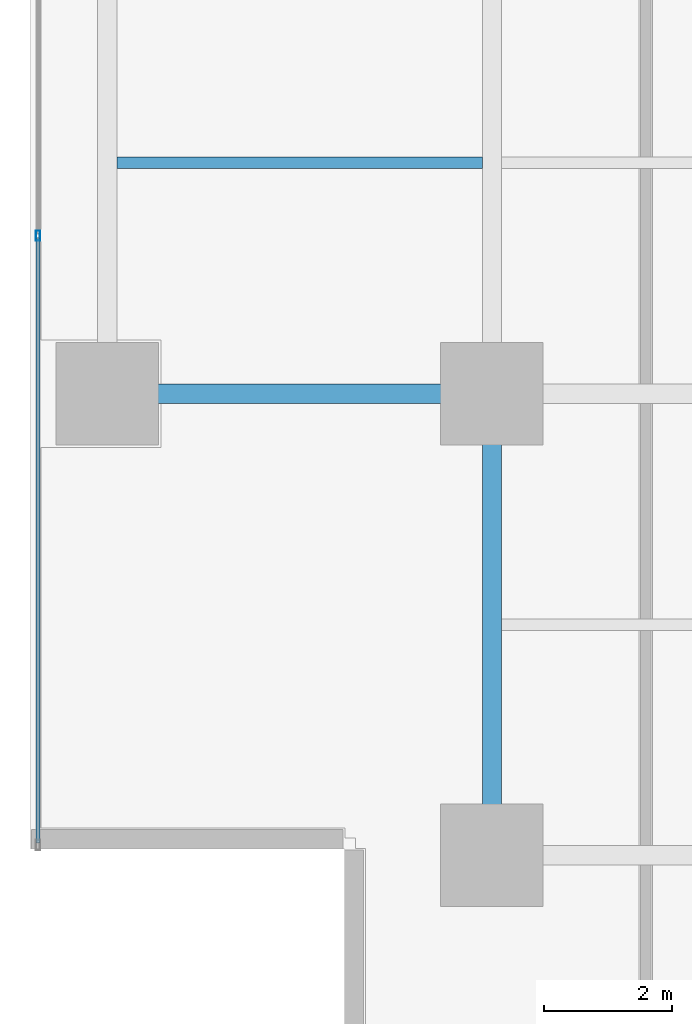
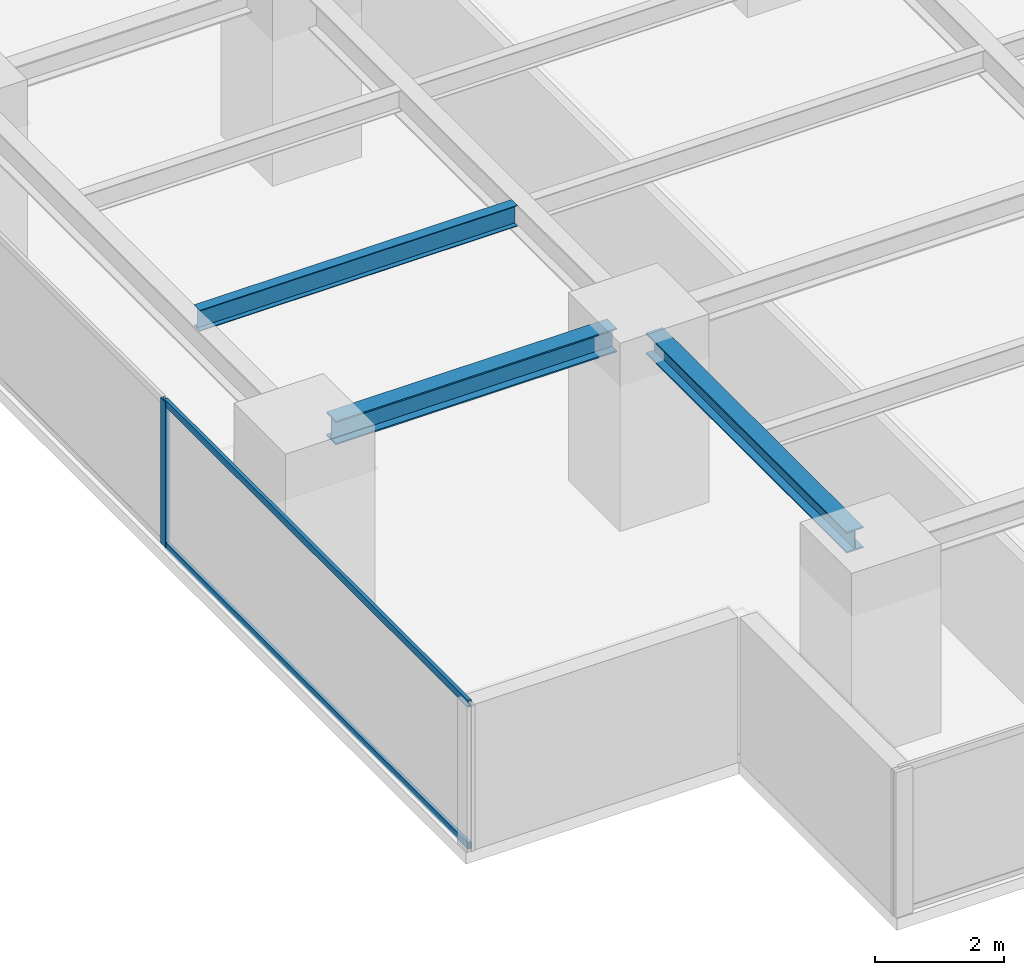
# One storey, part 3 of 27: 3 beams, 3 members, 1 element without a shape of its own.
"""IFC4 building model written with IfcOpenShell, lengths in metres."""

from ifc_helpers import new_model, si_unit, direction, frame, origin, origin_2d, place, context, subcontext, project, spatial, hollow_rectangle, i_section, extrude, source, transform, mapped, material, layer, layer_set, material_profile, profile_set, type_object, element, aggregate, save


model = new_model("IFC4")

# Units and contexts
model_context = context("Model", 3, precision=1e-05, world=origin(), true_north=direction((0.0, 1.0)))
body_context = subcontext(model_context, "Body", "Model", "MODEL_VIEW")
ifc_project = project(units=[si_unit("LENGTHUNIT", "METRE"), si_unit("AREAUNIT", "SQUARE_METRE"), si_unit("VOLUMEUNIT", "CUBIC_METRE"), si_unit("PLANEANGLEUNIT", "RADIAN"), si_unit("MASSUNIT", "GRAM", prefix="KILO")], contexts=[model_context])

# Site, building, storey
site_placement = place(None, origin())
site = spatial("IfcSite", under=ifc_project, at=site_placement, CompositionType="ELEMENT")
building_placement = place(site_placement, origin())
building = spatial("IfcBuilding", under=site, at=building_placement, Name="Sumidabori Civic Tower", CompositionType="ELEMENT")
storey_placement = place(building_placement, frame((0.0, 0.0, 164.0)))
storey = spatial("IfcBuildingStorey", under=building, at=storey_placement, Name="L42", CompositionType="ELEMENT", Elevation=164.0)

# Beams
ifc_material_1 = material(Name="Steel SN490", Category="steel")
ifc_material_profile_1 = material_profile(ifc_material_1, i_section(OverallWidth=0.300048828125, OverallDepth=0.39990234375, WebThickness=0.013427734375, FlangeThickness=0.02392578125, at=origin_2d()), Name="HE 400 B")
ifc_profile_set_1 = profile_set([ifc_material_profile_1], Name="Steel SN490")
beam_type_1 = type_object("IfcBeamType", Name="BM-GIRD-400", PredefinedType="BEAM", material=ifc_profile_set_1)
shared_shape_1 = source(origin(), body_context, "Body", "SweptSolid", [
    extrude(i_section(OverallWidth=0.300048828125, OverallDepth=0.39990234375, WebThickness=0.013427734375, FlangeThickness=0.02392578125, at=origin_2d()), origin(), (0.0, 0.0, 1.0), 6.239990234375),
])
beam_1_placement = place(storey_placement, frame((-16.800048828125, -17.52001953125, 3.179931640625), z_axis=(0.0, 1.0, 0.0), x_axis=(-1.0, 0.0, 0.0)))
element("IfcBeam", 1, at=beam_1_placement, inside=storey, type_object=beam_type_1, Name="Primary Girder L42 GY-22", PredefinedType="BEAM", context=body_context, shape_type="MappedRepresentation", body=[
    mapped(shared_shape_1, transform((0.0, 0.0, 0.0), x_axis=(1.0, 0.0, 0.0), y_axis=(0.0, 1.0, 0.0), z_axis=(0.0, 0.0, 1.0), scale=1.0)),
])
ifc_material_profile_2 = material_profile(ifc_material_1, i_section(OverallWidth=0.179931640625, OverallDepth=0.39990234375, WebThickness=0.008544921875, FlangeThickness=0.013427734375, at=origin_2d()), Name="IPE 400")
ifc_profile_set_2 = profile_set([ifc_material_profile_2], Name="Steel SN490")
beam_type_2 = type_object("IfcBeamType", Name="BM-JST-400", PredefinedType="JOIST", material=ifc_profile_set_2)
shared_shape_2 = source(origin(), body_context, "Body", "SweptSolid", [
    extrude(i_section(OverallWidth=0.179931640625, OverallDepth=0.39990234375, WebThickness=0.008544921875, FlangeThickness=0.013427734375, at=origin_2d()), origin(), (0.0, 0.0, 1.0), 5.699951171875),
])
beam_2_placement = place(storey_placement, frame((-22.64990234375, -7.199951171875, 3.179931640625), z_axis=(1.0, 0.0, 0.0), x_axis=(0.0, 1.0, 0.0)))
element("IfcBeam", 2, at=beam_2_placement, inside=storey, type_object=beam_type_2, Name="Outer Bay Floor Joist L42 JSTO-39", PredefinedType="JOIST", context=body_context, shape_type="MappedRepresentation", body=[
    mapped(shared_shape_2, transform((0.0, 0.0, 0.0), x_axis=(1.0, 0.0, 0.0), y_axis=(0.0, 1.0, 0.0), z_axis=(0.0, 0.0, 1.0), scale=1.0)),
])
ifc_material_profile_3 = material_profile(ifc_material_1, i_section(OverallWidth=0.300048828125, OverallDepth=0.449951171875, WebThickness=0.013916015625, FlangeThickness=0.02587890625, at=origin_2d()), Name="HE 450 B")
ifc_profile_set_3 = profile_set([ifc_material_profile_3], Name="Steel SN490")
beam_type_3 = type_object("IfcBeamType", Name="BM-GIRD-450", PredefinedType="BEAM", material=ifc_profile_set_3)
shared_shape_3 = source(origin(), body_context, "Body", "SweptSolid", [
    extrude(i_section(OverallWidth=0.300048828125, OverallDepth=0.449951171875, WebThickness=0.013916015625, FlangeThickness=0.02587890625, at=origin_2d()), origin(), (0.0, 0.0, 1.0), 5.0400390625),
])
beam_3_placement = place(storey_placement, frame((-22.320068359375, -10.800048828125, 3.155029296875), z_axis=(1.0, 0.0, 0.0), x_axis=(0.0, 1.0, 0.0)))
element("IfcBeam", 3, at=beam_3_placement, inside=storey, type_object=beam_type_3, Name="Primary Girder L42 GX-05", PredefinedType="BEAM", context=body_context, shape_type="MappedRepresentation", body=[
    mapped(shared_shape_3, transform((0.0, 0.0, 0.0), x_axis=(1.0, 0.0, 0.0), y_axis=(0.0, 1.0, 0.0), z_axis=(0.0, 0.0, 1.0), scale=1.0)),
])

# Curtain wall, members
ifc_material_2 = material(Name="Anodised Bronze Aluminium AW-6063-T6", Category="aluminium")
ifc_layer = layer(ifc_material_2, 0.179931640625, Name="Anodised Bronze Aluminium AW-6063-T6")
ifc_layer_set = layer_set([ifc_layer], Name="Anodised Bronze Aluminium AW-6063-T6")
curtain_wall_type = type_object("IfcCurtainWallType", Name="CW-SYS-3", PredefinedType="NOTDEFINED", material=ifc_layer_set)
curtain_wall_placement = place(storey_placement, origin())
curtain_wall = element("IfcCurtainWall", 4, at=curtain_wall_placement, inside=storey, type_object=curtain_wall_type, Name="Curtain Wall CW:L42:R10", PredefinedType="NOTDEFINED")
ifc_material_profile_4 = material_profile(ifc_material_2, hollow_rectangle(XDim=0.06494140625, YDim=0.159912109375, WallThickness=0.0048828125, at=origin_2d()), Name="ALU MULLION 160x65")
ifc_profile_set_4 = profile_set([ifc_material_profile_4], Name="Anodised Bronze Aluminium AW-6063-T6")
member_type_1 = type_object("IfcMemberType", Name="CW-MUL-160", PredefinedType="MULLION", material=ifc_profile_set_4)
shared_shape_4 = source(origin(), body_context, "Body", "SweptSolid", [
    extrude(hollow_rectangle(XDim=0.06494140625, YDim=0.159912109375, WallThickness=0.0048828125, at=origin_2d()), origin(), (0.0, 0.0, 1.0), 2.760009765625),
])
member_1_placement = place(storey_placement, frame((-23.8798828125, -8.3349609375, 0.0), z_axis=(0.0, 0.0, 1.0), x_axis=(1.0, 0.0, 0.0)))
member_1 = element("IfcMember", 5, at=member_1_placement, type_object=member_type_1, Name="CW-3 mullion 4", PredefinedType="MULLION", context=body_context, shape_type="MappedRepresentation", body=[
    mapped(shared_shape_4, transform((0.0, 0.0, 0.0), x_axis=(1.0, 0.0, 0.0), y_axis=(0.0, 1.0, 0.0), z_axis=(0.0, 0.0, 1.0), scale=1.0)),
])
ifc_material_profile_5 = material_profile(ifc_material_2, hollow_rectangle(XDim=0.06005859375, YDim=0.1298828125, WallThickness=0.0048828125, at=origin_2d()), Name="ALU TRANSOM 130x60")
ifc_profile_set_5 = profile_set([ifc_material_profile_5], Name="Anodised Bronze Aluminium AW-6063-T6")
member_type_2 = type_object("IfcMemberType", Name="CW-TRN-130", PredefinedType="USERDEFINED", material=ifc_profile_set_5)
shared_shape_5 = source(origin(), body_context, "Body", "SweptSolid", [
    extrude(hollow_rectangle(XDim=0.06005859375, YDim=0.1298828125, WallThickness=0.0048828125, at=origin_2d()), origin(), (0.0, 0.0, 1.0), 9.4375),
])
member_2_placement = place(storey_placement, frame((-23.8798828125, -8.367431640625, 0.030029296875), z_axis=(0.0, -1.0, 0.0), x_axis=(1.0, 0.0, 0.0)))
member_2 = element("IfcMember", 6, at=member_2_placement, type_object=member_type_2, Name="CW-3 transom 4.1", ObjectType="TRANSOM", PredefinedType="USERDEFINED", context=body_context, shape_type="MappedRepresentation", body=[
    mapped(shared_shape_5, transform((0.0, 0.0, 0.0), x_axis=(1.0, 0.0, 0.0), y_axis=(0.0, 1.0, 0.0), z_axis=(0.0, 0.0, 1.0), scale=1.0)),
])
member_3_placement = place(storey_placement, frame((-23.8798828125, -8.367431640625, 2.72998046875), z_axis=(0.0, -1.0, 0.0), x_axis=(1.0, 0.0, 0.0)))
member_3 = element("IfcMember", 7, at=member_3_placement, type_object=member_type_2, Name="CW-3 transom 4.2", ObjectType="TRANSOM", PredefinedType="USERDEFINED", context=body_context, shape_type="MappedRepresentation", body=[
    mapped(shared_shape_5, transform((0.0, 0.0, 0.0), x_axis=(1.0, 0.0, 0.0), y_axis=(0.0, 1.0, 0.0), z_axis=(0.0, 0.0, 1.0), scale=1.0)),
])
aggregate(curtain_wall, [member_1, member_2, member_3])

save(model, "model.ifc")
